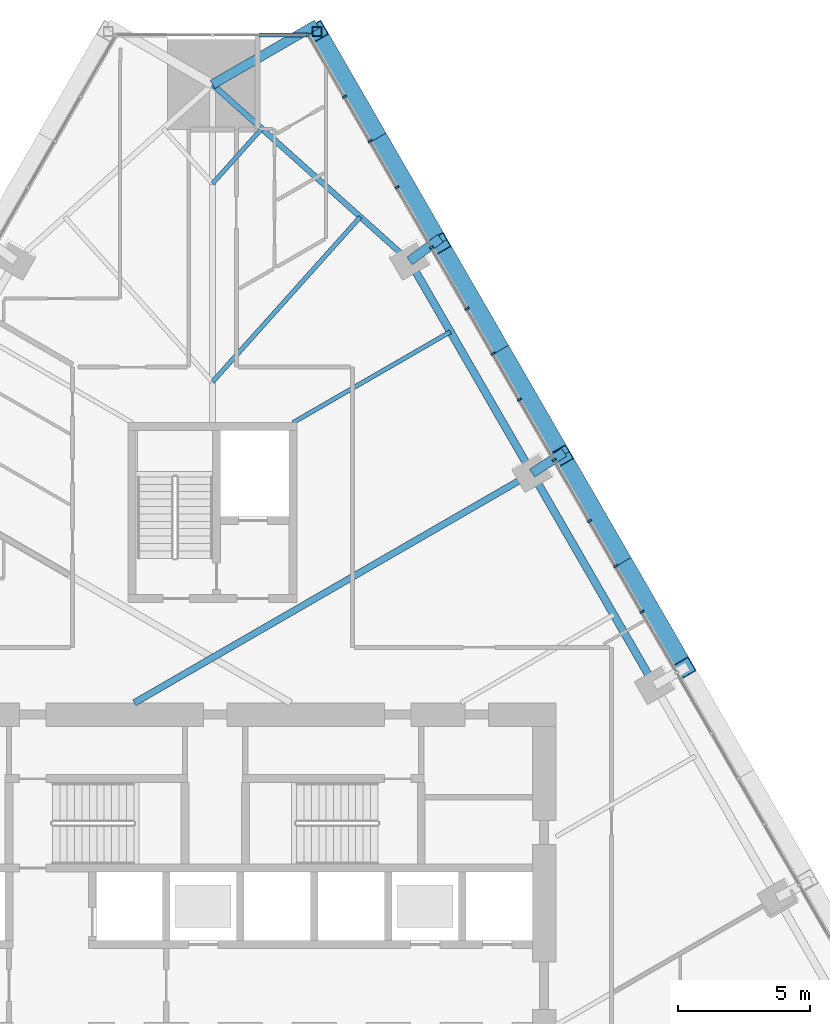
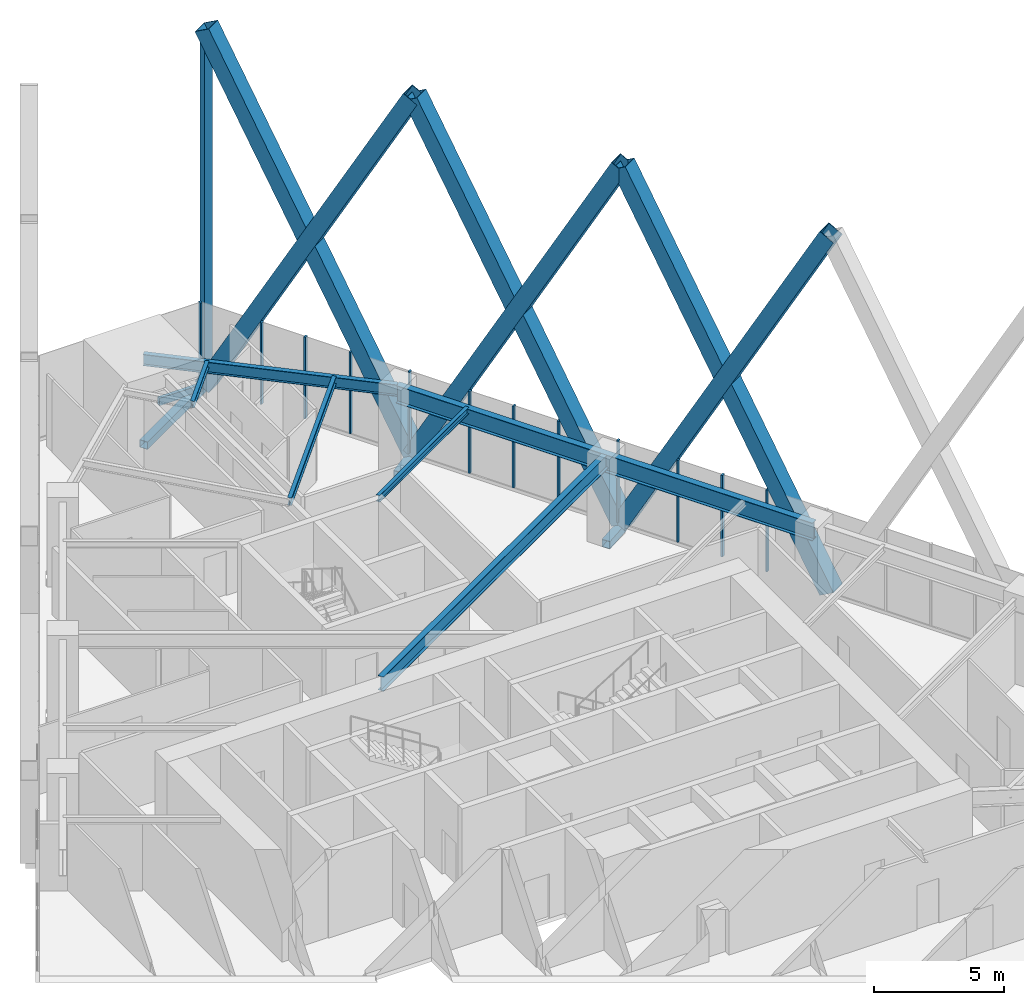
# One storey, part 10 of 19: 23 members, 6 beams, 2 elements without a shape of their own.
"""IFC4 building model written with IfcOpenShell, lengths in metres."""

from ifc_helpers import new_model, si_unit, direction, frame, origin, origin_2d, place, context, subcontext, project, spatial, rectangle, hollow_rectangle, i_section, extrude, material, layer, layer_set, material_profile, profile_set, type_object, element, aggregate, save


model = new_model("IFC4")

# Units and contexts
model_context = context("Model", 3, precision=1e-05, world=origin(), true_north=direction((0.0, 1.0)))
body_context = subcontext(model_context, "Body", "Model", "MODEL_VIEW")
ifc_project = project(units=[si_unit("LENGTHUNIT", "METRE"), si_unit("AREAUNIT", "SQUARE_METRE"), si_unit("VOLUMEUNIT", "CUBIC_METRE"), si_unit("PLANEANGLEUNIT", "RADIAN"), si_unit("MASSUNIT", "GRAM", prefix="KILO")], contexts=[model_context])

# Site, building, storey
site_placement = place(None, origin())
site = spatial("IfcSite", under=ifc_project, at=site_placement, CompositionType="ELEMENT")
building_placement = place(site_placement, origin())
building = spatial("IfcBuilding", under=site, at=building_placement, Name="Firuza Gate Tower and Library", CompositionType="ELEMENT")
storey_placement = place(building_placement, frame((0.0, 0.0, 124.0)))
storey = spatial("IfcBuildingStorey", under=building, at=storey_placement, Name="L28", CompositionType="ELEMENT", Elevation=124.0)

# Members
ifc_material_1 = material(Name="Steel S355", Category="steel")
ifc_material_profile_1 = material_profile(ifc_material_1, hollow_rectangle(XDim=0.699951171875, YDim=0.699951171875, WallThickness=0.030029296875, at=origin_2d()))
ifc_profile_set_1 = profile_set([ifc_material_profile_1], Name="Steel S355")
member_type_1 = type_object("IfcMemberType", Name="BU700x700x30 Lattice brace", PredefinedType="BRACE", material=ifc_profile_set_1)
for number, where, z_axis, x_axis, name in (
    (1, (92.854736328125, 85.30859375, 0.0), (-0.241596803526, 0.418471771276, 0.875506916689), (-0.866032560393, -0.499987604186, 0.0), "Lattice brace E 6.4R"),
    (2, (88.21875, 93.338623046875, 0.0), (0.241596803526, -0.418471771276, 0.875506916689), (0.866032560393, 0.499987604186, 0.0), "Lattice brace E 6.4L"),
    (3, (88.21875, 93.338623046875, 0.0), (-0.241608783829, 0.418470484936, 0.875504225469), (-0.866021159116, -0.500007351908, 0.0), "Lattice brace E 6.5R"),
    (4, (83.58251953125, 101.36865234375, 0.0), (0.241608783829, -0.418470484936, 0.875504225469), (0.866021159116, 0.500007351908, 0.0), "Lattice brace E 6.5L"),
    (5, (83.58251953125, 101.36865234375, 0.0), (-0.241608783829, 0.418470484936, 0.875504225469), (-0.866021159116, -0.500007351908, 0.0), "Lattice brace E 6.6R"),
    (6, (78.9462890625, 109.398681640625, 0.0), (0.241608783829, -0.418470484936, 0.875504225469), (0.866021159116, 0.500007351908, 0.0), "Lattice brace E 6.6L"),
):
    element("IfcMember", number, at=place(storey_placement, frame(where, z_axis=z_axis, x_axis=x_axis)), inside=storey, type_object=member_type_1, Name=name, PredefinedType="BRACE", context=body_context, shape_type="SweptSolid", body=[
        extrude(hollow_rectangle(XDim=0.699951171875, YDim=0.699951171875, WallThickness=0.030029296875, at=origin_2d()), origin(), (0.0, 0.0, 1.0), 19.18896484375),
    ])

# Curtain wall, members
ifc_material_2 = material(Name="Aluminium 6063-T6", Category="aluminium")
ifc_layer_1 = layer(ifc_material_2, 0.14990234375)
ifc_layer_set_1 = layer_set([ifc_layer_1], Name="Unitised curtain wall, offices")
curtain_wall_type_1 = type_object("IfcCurtainWallType", Name="Unitised curtain wall, offices", PredefinedType="NOTDEFINED", material=ifc_layer_set_1)
placement = place(storey_placement, origin())
curtain_wall_1 = element("IfcCurtainWall", 7, at=placement, inside=storey, type_object=curtain_wall_type_1, Name="CW1 L28 E face", PredefinedType="NOTDEFINED")
ifc_material_3 = material(Name="Aluminium 6063-T6", Category="aluminium")
ifc_material_profile_2 = material_profile(ifc_material_3, rectangle(XDim=0.14990234375, YDim=0.080078125, at=origin_2d()))
ifc_profile_set_2 = profile_set([ifc_material_profile_2], Name="Aluminium 6063-T6")
member_type_2 = type_object("IfcMemberType", Name="Curtain wall mullion 80x150", PredefinedType="MULLION", material=ifc_profile_set_2)
member_1_placement = place(storey_placement, frame((90.251708984375, 89.167236328125, 0.14990234375), z_axis=(0.0, 0.0, 1.0), x_axis=(-0.866025403784, -0.5, 0.0)))
member_1 = element("IfcMember", 8, at=member_1_placement, type_object=member_type_2, Name="Mullion", PredefinedType="MULLION", context=body_context, shape_type="SweptSolid", body=[
    extrude(rectangle(XDim=0.14990234375, YDim=0.080078125, at=origin_2d()), origin(), (0.0, 0.0, 1.0), 3.85009765625),
])
member_2_placement = place(storey_placement, frame((87.929931640625, 93.1884765625, 0.14990234375), z_axis=(0.0, 0.0, 1.0), x_axis=(-0.866025403784, -0.5, 0.0)))
member_2 = element("IfcMember", 9, at=member_2_placement, type_object=member_type_2, Name="Mullion", PredefinedType="MULLION", context=body_context, shape_type="SweptSolid", body=[
    extrude(rectangle(XDim=0.14990234375, YDim=0.080078125, at=origin_2d()), origin(), (0.0, 0.0, 1.0), 3.85009765625),
])
member_3_placement = place(storey_placement, frame((85.6083984375, 97.209716796875, 0.14990234375), z_axis=(0.0, 0.0, 1.0), x_axis=(-0.866025403784, -0.5, 0.0)))
member_3 = element("IfcMember", 10, at=member_3_placement, type_object=member_type_2, Name="Mullion", PredefinedType="MULLION", context=body_context, shape_type="SweptSolid", body=[
    extrude(rectangle(XDim=0.14990234375, YDim=0.080078125, at=origin_2d()), origin(), (0.0, 0.0, 1.0), 3.85009765625),
])
member_4_placement = place(storey_placement, frame((83.28662109375, 101.23095703125, 0.14990234375), z_axis=(0.0, 0.0, 1.0), x_axis=(-0.866025403784, -0.5, 0.0)))
member_4 = element("IfcMember", 11, at=member_4_placement, type_object=member_type_2, Name="Mullion", PredefinedType="MULLION", context=body_context, shape_type="SweptSolid", body=[
    extrude(rectangle(XDim=0.14990234375, YDim=0.080078125, at=origin_2d()), origin(), (0.0, 0.0, 1.0), 3.85009765625),
])
member_5_placement = place(storey_placement, frame((80.965087890625, 105.25244140625, 0.14990234375), z_axis=(0.0, 0.0, 1.0), x_axis=(-0.866025403784, -0.5, 0.0)))
member_5 = element("IfcMember", 12, at=member_5_placement, type_object=member_type_2, Name="Mullion", PredefinedType="MULLION", context=body_context, shape_type="SweptSolid", body=[
    extrude(rectangle(XDim=0.14990234375, YDim=0.080078125, at=origin_2d()), origin(), (0.0, 0.0, 1.0), 3.85009765625),
])
member_6_placement = place(storey_placement, frame((91.2470703125, 87.443115234375, 0.14990234375), z_axis=(0.0, 0.0, 1.0), x_axis=(-0.866025403784, -0.5, 0.0)))
member_6 = element("IfcMember", 13, at=member_6_placement, type_object=member_type_2, Name="Mullion", PredefinedType="MULLION", context=body_context, shape_type="SweptSolid", body=[
    extrude(rectangle(XDim=0.14990234375, YDim=0.080078125, at=origin_2d()), origin(), (0.0, 0.0, 1.0), 3.85009765625),
])
member_7_placement = place(storey_placement, frame((89.263427734375, 90.87890625, 0.14990234375), z_axis=(0.0, 0.0, 1.0), x_axis=(-0.866025403784, -0.5, 0.0)))
member_7 = element("IfcMember", 14, at=member_7_placement, type_object=member_type_2, Name="Mullion", PredefinedType="MULLION", context=body_context, shape_type="SweptSolid", body=[
    extrude(rectangle(XDim=0.14990234375, YDim=0.080078125, at=origin_2d()), origin(), (0.0, 0.0, 1.0), 3.85009765625),
])
member_8_placement = place(storey_placement, frame((86.611083984375, 95.47314453125, 0.14990234375), z_axis=(0.0, 0.0, 1.0), x_axis=(-0.866025403784, -0.5, 0.0)))
member_8 = element("IfcMember", 15, at=member_8_placement, type_object=member_type_2, Name="Mullion", PredefinedType="MULLION", context=body_context, shape_type="SweptSolid", body=[
    extrude(rectangle(XDim=0.14990234375, YDim=0.080078125, at=origin_2d()), origin(), (0.0, 0.0, 1.0), 3.85009765625),
])
member_9_placement = place(storey_placement, frame((84.62744140625, 98.908935546875, 0.14990234375), z_axis=(0.0, 0.0, 1.0), x_axis=(-0.866025403784, -0.5, 0.0)))
member_9 = element("IfcMember", 16, at=member_9_placement, type_object=member_type_2, Name="Mullion", PredefinedType="MULLION", context=body_context, shape_type="SweptSolid", body=[
    extrude(rectangle(XDim=0.14990234375, YDim=0.080078125, at=origin_2d()), origin(), (0.0, 0.0, 1.0), 3.85009765625),
])
member_10_placement = place(storey_placement, frame((81.974853515625, 103.503173828125, 0.14990234375), z_axis=(0.0, 0.0, 1.0), x_axis=(-0.866025403784, -0.5, 0.0)))
member_10 = element("IfcMember", 17, at=member_10_placement, type_object=member_type_2, Name="Mullion", PredefinedType="MULLION", context=body_context, shape_type="SweptSolid", body=[
    extrude(rectangle(XDim=0.14990234375, YDim=0.080078125, at=origin_2d()), origin(), (0.0, 0.0, 1.0), 3.85009765625),
])
member_11_placement = place(storey_placement, frame((79.9912109375, 106.93896484375, 0.14990234375), z_axis=(0.0, 0.0, 1.0), x_axis=(-0.866025403784, -0.5, 0.0)))
member_11 = element("IfcMember", 18, at=member_11_placement, type_object=member_type_2, Name="Mullion", PredefinedType="MULLION", context=body_context, shape_type="SweptSolid", body=[
    extrude(rectangle(XDim=0.14990234375, YDim=0.080078125, at=origin_2d()), origin(), (0.0, 0.0, 1.0), 3.85009765625),
])
aggregate(curtain_wall_1, [member_1, member_2, member_3, member_4, member_5, member_6, member_7, member_8, member_9, member_10, member_11])

ifc_material_4 = material(Name="Aluminium 6063-T6", Category="aluminium")
ifc_layer_2 = layer(ifc_material_4, 0.14990234375)
ifc_layer_set_2 = layer_set([ifc_layer_2], Name="Corner curtain wall, chamfers")
curtain_wall_type_2 = type_object("IfcCurtainWallType", Name="Corner curtain wall, chamfers", PredefinedType="NOTDEFINED", material=ifc_layer_set_2)
curtain_wall_2 = element("IfcCurtainWall", 19, at=placement, inside=storey, type_object=curtain_wall_type_2, Name="CW4 L28 N corner", PredefinedType="NOTDEFINED")
member_12_placement = place(storey_placement, frame((78.603271484375, 109.273681640625, 0.14990234375), z_axis=(0.0, 0.0, 1.0), x_axis=(0.0, -1.0, 0.0)))
member_12 = element("IfcMember", 20, at=member_12_placement, type_object=member_type_2, Name="Mullion", PredefinedType="MULLION", context=body_context, shape_type="SweptSolid", body=[
    extrude(rectangle(XDim=0.14990234375, YDim=0.080078125, at=origin_2d()), origin(), (0.0, 0.0, 1.0), 3.85009765625),
])
ifc_material_5 = material(Name="Aluminium 6063-T6", Category="aluminium")
ifc_material_profile_3 = material_profile(ifc_material_5, rectangle(XDim=0.14990234375, YDim=0.35009765625, at=origin_2d()))
ifc_profile_set_3 = profile_set([ifc_material_profile_3], Name="Aluminium 6063-T6")
member_type_3 = type_object("IfcMemberType", Name="Curtain wall transom 350x150", PredefinedType="USERDEFINED", material=ifc_profile_set_3)
member_13_placement = place(storey_placement, frame((78.643310546875, 109.273681640625, -0.02490234375), z_axis=(-1.0, 0.0, 0.0), x_axis=(0.0, -1.0, 0.0)))
member_13 = element("IfcMember", 21, at=member_13_placement, type_object=member_type_3, Name="Transom", ObjectType="TRANSOM", PredefinedType="USERDEFINED", context=body_context, shape_type="SweptSolid", body=[
    extrude(rectangle(XDim=0.14990234375, YDim=0.35009765625, at=origin_2d()), origin(), (0.0, 0.0, 1.0), 1.89208984375),
])
aggregate(curtain_wall_2, [member_12, member_13])

# Members
ifc_material_6 = material(Name="Steel S355", Category="steel")
ifc_material_profile_4 = material_profile(ifc_material_6, hollow_rectangle(XDim=0.355712890625, YDim=0.355712890625, WallThickness=0.014892578125, at=origin_2d()))
ifc_profile_set_4 = profile_set([ifc_material_profile_4], Name="Steel S355")
member_type_4 = type_object("IfcMemberType", Name="HSS356x356x16 Lattice corner stile", PredefinedType="BRACE", material=ifc_profile_set_4)
member_14_placement = place(storey_placement, frame((78.9462890625, 109.398681640625, -0.139892578125), z_axis=(0.0, 0.0, 1.0), x_axis=(1.0, 0.0, 0.0)))
element("IfcMember", 22, at=member_14_placement, inside=storey, type_object=member_type_4, Name="Lattice corner stile E 6.B", PredefinedType="BRACE", context=body_context, shape_type="SweptSolid", body=[
    extrude(hollow_rectangle(XDim=0.355712890625, YDim=0.355712890625, WallThickness=0.014892578125, at=origin_2d()), origin(), (0.0, 0.0, 1.0), 16.43994140625),
])
ifc_material_7 = material(Name="Steel S355", Category="steel")
ifc_material_profile_5 = material_profile(ifc_material_7, hollow_rectangle(XDim=0.355712890625, YDim=0.355712890625, WallThickness=0.014892578125, at=origin_2d()))
ifc_profile_set_5 = profile_set([ifc_material_profile_5], Name="Steel S355")
member_type_5 = type_object("IfcMemberType", Name="HSS356x356x16 Lattice node tie", PredefinedType="BRACE", material=ifc_profile_set_5)
member_15_placement = place(storey_placement, frame((75.0, 107.398681640625, -0.320068359375), z_axis=(0.86552158659, 0.50087162342, 0.0), x_axis=(-0.50087162342, 0.86552158659, 0.0)))
element("IfcMember", 23, at=member_15_placement, inside=storey, type_object=member_type_5, Name="Lattice node tie E L28 106", PredefinedType="BRACE", context=body_context, shape_type="SweptSolid", body=[
    extrude(hollow_rectangle(XDim=0.355712890625, YDim=0.355712890625, WallThickness=0.014892578125, at=origin_2d()), origin(), (0.0, 0.0, 1.0), 4.559326171875),
])
member_16_placement = place(storey_placement, frame((82.456787109375, 100.718505859375, -0.320068359375), z_axis=(0.804039755994, 0.594575538331, 0.0), x_axis=(-0.594575538331, 0.804039755994, 0.0)))
element("IfcMember", 24, at=member_16_placement, inside=storey, type_object=member_type_5, Name="Lattice node tie E L28 107", PredefinedType="BRACE", context=body_context, shape_type="SweptSolid", body=[
    extrude(hollow_rectangle(XDim=0.355712890625, YDim=0.355712890625, WallThickness=0.014892578125, at=origin_2d()), origin(), (0.0, 0.0, 1.0), 1.451171875),
])
member_17_placement = place(storey_placement, frame((87.0927734375, 92.6884765625, -0.320068359375), z_axis=(0.836239284405, 0.548364713687, 0.0), x_axis=(-0.548364713687, 0.836239284405, 0.0)))
element("IfcMember", 25, at=member_17_placement, inside=storey, type_object=member_type_5, Name="Lattice node tie E L28 108", PredefinedType="BRACE", context=body_context, shape_type="SweptSolid", body=[
    extrude(hollow_rectangle(XDim=0.355712890625, YDim=0.355712890625, WallThickness=0.014892578125, at=origin_2d()), origin(), (0.0, 0.0, 1.0), 1.4443359375),
])

# Beams
ifc_material_8 = material(Name="Steel S355", Category="steel")
ifc_material_profile_6 = material_profile(ifc_material_8, i_section(OverallWidth=0.1650390625, OverallDepth=0.31005859375, WebThickness=0.005859375, FlangeThickness=0.009765625, at=origin_2d()))
ifc_profile_set_6 = profile_set([ifc_material_profile_6], Name="Steel S355")
beam_type_1 = type_object("IfcBeamType", Name="W310x39 Floor beam", PredefinedType="JOIST", material=ifc_profile_set_6)
beam_1_placement = place(storey_placement, frame((84.002197265625, 98.0419921875, 3.844970703125), z_axis=(-0.866030259979, -0.49999158873, 0.0), x_axis=(0.49999158873, -0.866030259979, 0.0)))
element("IfcBeam", 26, at=beam_1_placement, inside=storey, type_object=beam_type_1, Name="Floor beam L28 s55", PredefinedType="JOIST", context=body_context, shape_type="SweptSolid", body=[
    extrude(i_section(OverallWidth=0.1650390625, OverallDepth=0.31005859375, WebThickness=0.005859375, FlangeThickness=0.009765625, at=origin_2d()), origin(), (0.0, 0.0, 1.0), 6.8837890625),
])
beam_2_placement = place(storey_placement, frame((76.8642578125, 105.728515625, 3.844970703125), z_axis=(-0.667287711118, -0.744800047389, 0.0), x_axis=(0.744800047389, -0.667287711118, 0.0)))
element("IfcBeam", 27, at=beam_2_placement, inside=storey, type_object=beam_type_1, Name="Floor beam L28 s61", PredefinedType="JOIST", context=body_context, shape_type="SweptSolid", body=[
    extrude(i_section(OverallWidth=0.1650390625, OverallDepth=0.31005859375, WebThickness=0.005859375, FlangeThickness=0.009765625, at=origin_2d()), origin(), (0.0, 0.0, 1.0), 2.793701171875),
])
ifc_material_9 = material(Name="Steel S355", Category="steel")
ifc_material_profile_7 = material_profile(ifc_material_9, i_section(OverallWidth=0.1708984375, OverallDepth=0.35498046875, WebThickness=0.007080078125, FlangeThickness=0.01171875, at=origin_2d()))
ifc_profile_set_7 = profile_set([ifc_material_profile_7], Name="Steel S355")
beam_type_2 = type_object("IfcBeamType", Name="W360x51 Floor beam", PredefinedType="JOIST", material=ifc_profile_set_7)
beam_3_placement = place(storey_placement, frame((80.592529296875, 102.388671875, 3.822509765625), z_axis=(-0.667242598302, -0.744840462792, 0.0), x_axis=(0.744840462792, -0.667242598302, 0.0)))
element("IfcBeam", 28, at=beam_3_placement, inside=storey, type_object=beam_type_2, Name="Floor beam L28 s60", PredefinedType="JOIST", context=body_context, shape_type="SweptSolid", body=[
    extrude(i_section(OverallWidth=0.1708984375, OverallDepth=0.35498046875, WebThickness=0.007080078125, FlangeThickness=0.01171875, at=origin_2d()), origin(), (0.0, 0.0, 1.0), 8.381591796875),
])
ifc_material_10 = material(Name="Steel S355", Category="steel")
ifc_material_profile_8 = material_profile(ifc_material_10, i_section(OverallWidth=0.212890625, OverallDepth=0.5390625, WebThickness=0.01171875, FlangeThickness=0.018798828125, at=origin_2d()))
ifc_profile_set_8 = profile_set([ifc_material_profile_8], Name="Steel S355")
beam_type_3 = type_object("IfcBeamType", Name="W530x109 Edge beam", PredefinedType="SPANDREL", material=ifc_profile_set_8)
beam_4_placement = place(storey_placement, frame((82.456787109375, 100.718505859375, 3.73046875), z_axis=(-0.744828518345, 0.667255931603, 0.0), x_axis=(-0.667255931603, -0.744828518345, 0.0)))
element("IfcBeam", 29, at=beam_4_placement, inside=storey, type_object=beam_type_3, Name="Edge beam L28 e60", PredefinedType="SPANDREL", context=body_context, shape_type="SweptSolid", body=[
    extrude(i_section(OverallWidth=0.212890625, OverallDepth=0.5390625, WebThickness=0.01171875, FlangeThickness=0.018798828125, at=origin_2d()), origin(), (0.0, 0.0, 1.0), 10.011474609375),
])
ifc_material_11 = material(Name="Steel S355", Category="steel")
ifc_material_profile_9 = material_profile(ifc_material_11, i_section(OverallWidth=0.2529296875, OverallDepth=0.677978515625, WebThickness=0.01171875, FlangeThickness=0.016357421875, at=origin_2d()))
ifc_profile_set_9 = profile_set([ifc_material_profile_9], Name="Steel S355")
beam_type_4 = type_object("IfcBeamType", Name="W690x125 Floor beam", PredefinedType="JOIST", material=ifc_profile_set_9)
beam_5_placement = place(storey_placement, frame((87.0927734375, 92.6884765625, 3.660888671875), z_axis=(-0.866024616508, -0.5000013636, 0.0), x_axis=(0.5000013636, -0.866024616508, 0.0)))
element("IfcBeam", 30, at=beam_5_placement, inside=storey, type_object=beam_type_4, Name="Floor beam L28 s54", PredefinedType="JOIST", context=body_context, shape_type="SweptSolid", body=[
    extrude(i_section(OverallWidth=0.2529296875, OverallDepth=0.677978515625, WebThickness=0.01171875, FlangeThickness=0.016357421875, at=origin_2d()), origin(), (0.0, 0.0, 1.0), 17.376953125),
])
ifc_material_12 = material(Name="Steel S355", Category="steel")
ifc_material_profile_10 = material_profile(ifc_material_12, i_section(OverallWidth=0.2919921875, OverallDepth=0.8349609375, WebThickness=0.013916015625, FlangeThickness=0.018798828125, at=origin_2d()))
ifc_profile_set_10 = profile_set([ifc_material_profile_10], Name="Steel S355")
beam_type_5 = type_object("IfcBeamType", Name="W840x176 Edge beam", PredefinedType="SPANDREL", material=ifc_profile_set_10)
beam_6_placement = place(storey_placement, frame((91.72900390625, 84.658447265625, 3.58251953125), z_axis=(-0.499997478145, 0.866026859773, 0.0), x_axis=(-0.866026859773, -0.499997478145, 0.0)))
element("IfcBeam", 31, at=beam_6_placement, inside=storey, type_object=beam_type_5, Name="Edge beam L28 e52", PredefinedType="SPANDREL", context=body_context, shape_type="SweptSolid", body=[
    extrude(i_section(OverallWidth=0.2919921875, OverallDepth=0.8349609375, WebThickness=0.013916015625, FlangeThickness=0.018798828125, at=origin_2d()), origin(), (0.0, 0.0, 1.0), 18.54443359375),
])

save(model, "model.ifc")
